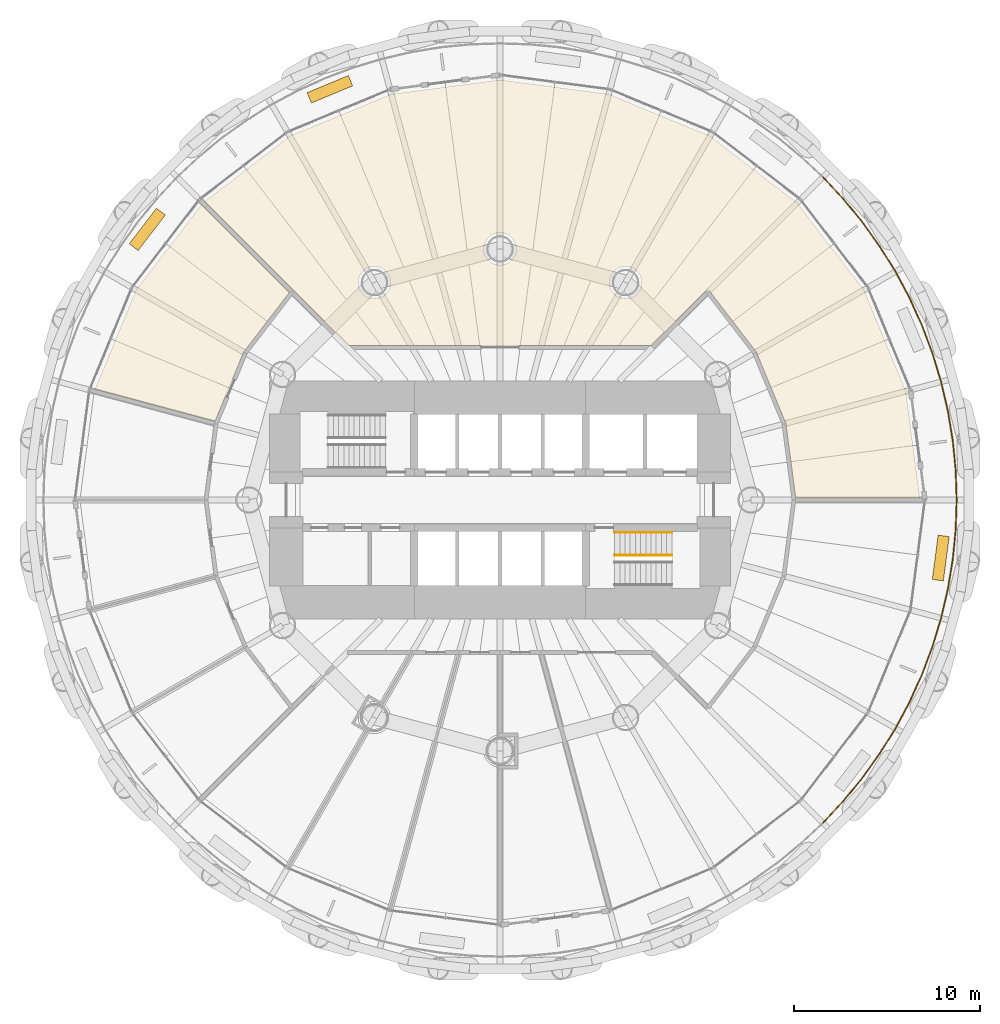
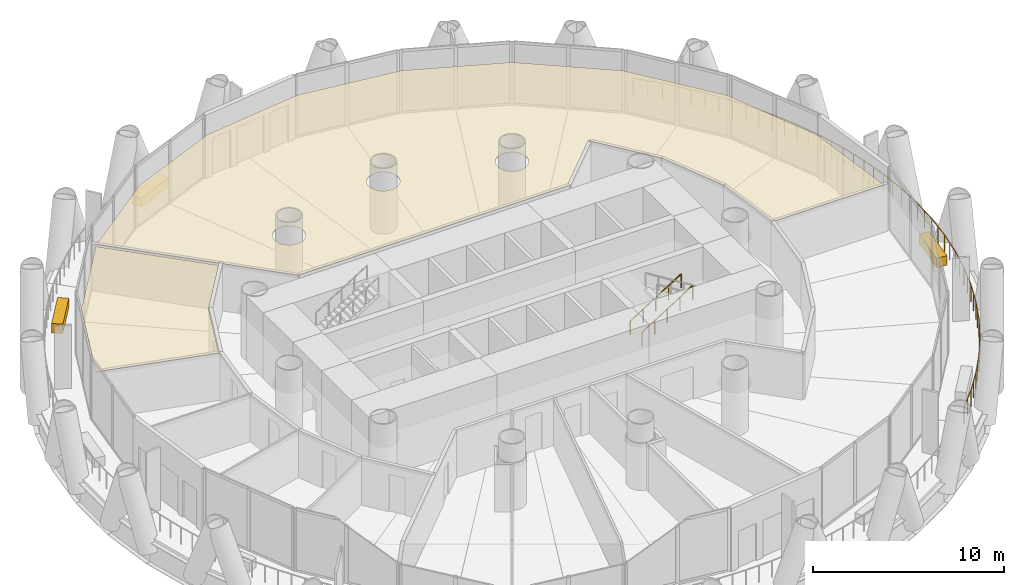
# One storey, part 15 of 16: 5 coverings, 3 railings.
"""IFC4 building model written with IfcOpenShell, lengths in metres."""

from ifc_helpers import new_model, si_unit, direction, frame, origin, origin_2d, place, context, subcontext, project, spatial, polyline, rectangle, circle, outline, extrude, material, layer, layer_set, type_object, element, save


model = new_model("IFC4")

# Units and contexts
model_context = context("Model", 3, precision=1e-05, world=origin(), true_north=direction((0.0, 1.0)))
body_context = subcontext(model_context, "Body", "Model", "MODEL_VIEW")
ifc_project = project(units=[si_unit("LENGTHUNIT", "METRE"), si_unit("AREAUNIT", "SQUARE_METRE"), si_unit("VOLUMEUNIT", "CUBIC_METRE"), si_unit("PLANEANGLEUNIT", "RADIAN"), si_unit("MASSUNIT", "GRAM", prefix="KILO")], contexts=[model_context])

# Site, building, storey
site_placement = place(None, origin())
site = spatial("IfcSite", under=ifc_project, at=site_placement, CompositionType="ELEMENT")
building_placement = place(site_placement, origin())
building = spatial("IfcBuilding", under=site, at=building_placement, Name="Qaws Media Tower", CompositionType="ELEMENT")
storey_placement = place(building_placement, frame((0.0, 0.0, 63.800048828125)))
storey = spatial("IfcBuildingStorey", under=building, at=storey_placement, Name="L13", CompositionType="ELEMENT", Elevation=63.800048828125)

# Coverings
ifc_material_1 = material(Name="40 perforated acoustic panels with mineral wool backing, suspended", Category="mineral fibre")
ifc_layer_1 = layer(ifc_material_1, 0.0400390625)
ifc_layer_set_1 = layer_set([ifc_layer_1], Name="Acoustic panel ceiling 40")
covering_type_1 = type_object("IfcCoveringType", Name="Acoustic panel ceiling 40", PredefinedType="CEILING", material=ifc_layer_set_1)
covering_1_placement = place(storey_placement, frame((0.0, 0.0, 2.849853515625)))
element("IfcCovering", 1, at=covering_1_placement, inside=storey, type_object=covering_type_1, Name="CL3 ceiling L13-02 Newsroom", PredefinedType="CEILING", context=body_context, shape_type="SweptSolid", body=[
    extrude(outline(polyline([(48.70751953125, 69.559326171875), (54.154541015625, 71.815673828125), (60.0, 72.585205078125), (65.845458984375, 71.815673828125), (71.29248046875, 69.559326171875), (75.97021484375, 65.97021484375), (79.559326171875, 61.29248046875), (81.815673828125, 55.845458984375), (82.5703125, 50.112548828125), (75.898681640625, 50.112548828125), (75.37109375, 54.11865234375), (73.781494140625, 57.956787109375), (71.183349609375, 61.342529296875), (68.1533203125, 58.3125), (51.8466796875, 58.3125), (44.119873046875, 66.039306640625), (48.70751953125, 69.559326171875)]), holes=[polyline([(54.0546875, 61.35791015625), (54.09130859375, 61.4658203125), (54.113525390625, 61.57763671875), (54.12109375, 61.69140625), (54.113525390625, 61.804931640625), (54.09130859375, 61.916748046875), (54.0546875, 62.024658203125), (54.00439453125, 62.126708984375), (53.94091796875, 62.2216796875), (53.865966796875, 62.30712890625), (53.7802734375, 62.38232421875), (53.685546875, 62.44580078125), (53.583251953125, 62.49609375), (53.475341796875, 62.53271484375), (53.36376953125, 62.554931640625), (53.25, 62.562255859375), (53.13623046875, 62.554931640625), (53.024658203125, 62.53271484375), (52.916748046875, 62.49609375), (52.814453125, 62.44580078125), (52.7197265625, 62.38232421875), (52.634033203125, 62.30712890625), (52.55908203125, 62.2216796875), (52.49560546875, 62.126708984375), (52.4453125, 62.024658203125), (52.40869140625, 61.916748046875), (52.386474609375, 61.804931640625), (52.37890625, 61.69140625), (52.386474609375, 61.57763671875), (52.40869140625, 61.4658203125), (52.4453125, 61.35791015625), (52.49560546875, 61.255859375), (52.55908203125, 61.1611328125), (52.634033203125, 61.075439453125), (52.7197265625, 61.000244140625), (52.814453125, 60.93701171875), (52.916748046875, 60.88671875), (53.024658203125, 60.85009765625), (53.13623046875, 60.827880859375), (53.25, 60.8203125), (53.36376953125, 60.827880859375), (53.475341796875, 60.85009765625), (53.583251953125, 60.88671875), (53.685546875, 60.93701171875), (53.7802734375, 61.000244140625), (53.865966796875, 61.075439453125), (53.94091796875, 61.1611328125), (54.00439453125, 61.255859375), (54.0546875, 61.35791015625)]), polyline([(60.8046875, 63.166748046875), (60.84130859375, 63.274658203125), (60.863525390625, 63.38623046875), (60.87109375, 63.5), (60.863525390625, 63.61376953125), (60.84130859375, 63.725341796875), (60.8046875, 63.833251953125), (60.75439453125, 63.935546875), (60.69091796875, 64.0302734375), (60.615966796875, 64.115966796875), (60.5302734375, 64.19091796875), (60.435546875, 64.25439453125), (60.333251953125, 64.3046875), (60.225341796875, 64.34130859375), (60.11376953125, 64.363525390625), (60.0, 64.37109375), (59.88623046875, 64.363525390625), (59.774658203125, 64.34130859375), (59.666748046875, 64.3046875), (59.564453125, 64.25439453125), (59.4697265625, 64.19091796875), (59.384033203125, 64.115966796875), (59.30908203125, 64.0302734375), (59.24560546875, 63.935546875), (59.1953125, 63.833251953125), (59.15869140625, 63.725341796875), (59.136474609375, 63.61376953125), (59.12890625, 63.5), (59.136474609375, 63.38623046875), (59.15869140625, 63.274658203125), (59.1953125, 63.166748046875), (59.24560546875, 63.064453125), (59.30908203125, 62.9697265625), (59.384033203125, 62.884033203125), (59.4697265625, 62.80908203125), (59.564453125, 62.74560546875), (59.666748046875, 62.6953125), (59.774658203125, 62.65869140625), (59.88623046875, 62.636474609375), (60.0, 62.62890625), (60.11376953125, 62.636474609375), (60.225341796875, 62.65869140625), (60.333251953125, 62.6953125), (60.435546875, 62.74560546875), (60.5302734375, 62.80908203125), (60.615966796875, 62.884033203125), (60.69091796875, 62.9697265625), (60.75439453125, 63.064453125), (60.8046875, 63.166748046875)]), polyline([(67.5546875, 61.35791015625), (67.59130859375, 61.4658203125), (67.613525390625, 61.57763671875), (67.62109375, 61.69140625), (67.613525390625, 61.804931640625), (67.59130859375, 61.916748046875), (67.5546875, 62.024658203125), (67.50439453125, 62.126708984375), (67.44091796875, 62.2216796875), (67.365966796875, 62.30712890625), (67.2802734375, 62.38232421875), (67.185546875, 62.44580078125), (67.083251953125, 62.49609375), (66.975341796875, 62.53271484375), (66.86376953125, 62.554931640625), (66.75, 62.562255859375), (66.63623046875, 62.554931640625), (66.524658203125, 62.53271484375), (66.416748046875, 62.49609375), (66.314453125, 62.44580078125), (66.2197265625, 62.38232421875), (66.134033203125, 62.30712890625), (66.05908203125, 62.2216796875), (65.99560546875, 62.126708984375), (65.9453125, 62.024658203125), (65.90869140625, 61.916748046875), (65.886474609375, 61.804931640625), (65.87890625, 61.69140625), (65.886474609375, 61.57763671875), (65.90869140625, 61.4658203125), (65.9453125, 61.35791015625), (65.99560546875, 61.255859375), (66.05908203125, 61.1611328125), (66.134033203125, 61.075439453125), (66.2197265625, 61.000244140625), (66.314453125, 60.93701171875), (66.416748046875, 60.88671875), (66.524658203125, 60.85009765625), (66.63623046875, 60.827880859375), (66.75, 60.8203125), (66.86376953125, 60.827880859375), (66.975341796875, 60.85009765625), (67.083251953125, 60.88671875), (67.185546875, 60.93701171875), (67.2802734375, 61.000244140625), (67.365966796875, 61.075439453125), (67.44091796875, 61.1611328125), (67.50439453125, 61.255859375), (67.5546875, 61.35791015625)])]), origin(), (0.0, 0.0, 1.0), 0.0400390625),
])
covering_2_placement = place(storey_placement, frame((0.0, 0.0, 2.849853515625)))
element("IfcCovering", 2, at=covering_2_placement, inside=storey, type_object=covering_type_1, Name="CL3 ceiling L13-03 News meeting room", PredefinedType="CEILING", context=body_context, shape_type="SweptSolid", body=[
    extrude(outline(polyline([(40.440673828125, 61.29248046875), (43.960693359375, 65.880126953125), (48.678466796875, 61.16259765625), (46.218505859375, 57.956787109375), (44.672119140625, 54.223388671875), (38.227783203125, 55.9501953125), (40.440673828125, 61.29248046875)])), origin(), (0.0, 0.0, 1.0), 0.0400390625),
])

# Railing
ifc_material_2 = material(Name="Stainless steel and glass guard", Category="steel")
railing_type_1 = type_object("IfcRailingType", Name="Balcony guard 1100", PredefinedType="GUARDRAIL", material=ifc_material_2)
railing_placement = place(storey_placement, frame((77.359375, 32.640625, 0.0)))
element("IfcRailing", 3, at=railing_placement, inside=storey, type_object=railing_type_1, Name="GR1 balcony guard L13-4", PredefinedType="GUARDRAIL", context=body_context, shape_type="SweptSolid", body=[
    extrude(circle(Radius=0.02392578125, at=origin_2d()), frame((0.0, 0.0, 1.076171875), z_axis=(0.683708559442, 0.729755168358, 0.0), x_axis=(-0.729755168358, 0.683708559442, 0.0)), (0.0, 0.0, 1.0), 1.6064453125),
    extrude(circle(Radius=0.02392578125, at=origin_2d()), frame((1.098388671875, 1.17236328125, 1.076171875), z_axis=(0.634321269282, 0.773069548835, 0.0), x_axis=(-0.773069548835, 0.634321269282, 0.0)), (0.0, 0.0, 1.0), 1.6064453125),
    extrude(circle(Radius=0.02392578125, at=origin_2d()), frame((2.117431640625, 2.414306640625, 1.076171875), z_axis=(0.582473761618, 0.812849504538, 0.0), x_axis=(-0.812849504538, 0.582473761618, 0.0)), (0.0, 0.0, 1.0), 1.606689453125),
    extrude(circle(Radius=0.02392578125, at=origin_2d()), frame((3.05322265625, 3.72021484375, 1.076171875), z_axis=(0.528085199, 0.849191393384, 0.0), x_axis=(-0.849191393384, 0.528085199, 0.0)), (0.0, 0.0, 1.0), 1.6064453125),
    extrude(circle(Radius=0.02392578125, at=origin_2d()), frame((3.901611328125, 5.08447265625, 1.076171875), z_axis=(0.471424145356, 0.881906613636, 0.0), x_axis=(-0.881906613636, 0.471424145356, 0.0)), (0.0, 0.0, 1.0), 1.6064453125),
    extrude(circle(Radius=0.02392578125, at=origin_2d()), frame((4.658935546875, 6.501220703125, 1.076171875), z_axis=(0.412600349797, 0.910912153474, 0.0), x_axis=(-0.910912153474, 0.412600349797, 0.0)), (0.0, 0.0, 1.0), 1.6064453125),
    extrude(circle(Radius=0.02392578125, at=origin_2d()), frame((5.32177734375, 7.964599609375, 1.076171875), z_axis=(0.352289041388, 0.935891249728, 0.0), x_axis=(-0.935891249728, 0.352289041388, 0.0)), (0.0, 0.0, 1.0), 1.6064453125),
    extrude(circle(Radius=0.02392578125, at=origin_2d()), frame((5.8876953125, 9.468017578125, 1.076171875), z_axis=(0.290260453496, 0.956947683594, 0.0), x_axis=(-0.956947683594, 0.290260453496, 0.0)), (0.0, 0.0, 1.0), 1.6064453125),
    extrude(circle(Radius=0.02392578125, at=origin_2d()), frame((6.35400390625, 11.00537109375, 1.076171875), z_axis=(0.227200790134, 0.973847935236, 0.0), x_axis=(-0.973847935236, 0.227200790134, 0.0)), (0.0, 0.0, 1.0), 1.6064453125),
    extrude(circle(Radius=0.02392578125, at=origin_2d()), frame((6.718994140625, 12.56982421875, 1.076171875), z_axis=(0.162895674781, 0.986643298836, 0.0), x_axis=(-0.986643298836, 0.162895674781, 0.0)), (0.0, 0.0, 1.0), 1.606689453125),
    extrude(circle(Radius=0.02392578125, at=origin_2d()), frame((6.980712890625, 14.155029296875, 1.076171875), z_axis=(0.098028924866, 0.995183565926, 0.0), x_axis=(-0.995183565926, 0.098028924866, 0.0)), (0.0, 0.0, 1.0), 1.6064453125),
    extrude(circle(Radius=0.02392578125, at=origin_2d()), frame((7.13818359375, 15.753662109375, 1.076171875), z_axis=(0.032672223792, 0.999466120383, 0.0), x_axis=(-0.999466120383, 0.032672223792, 0.0)), (0.0, 0.0, 1.0), 1.606689453125),
    extrude(circle(Radius=0.02392578125, at=origin_2d()), frame((7.190673828125, 17.359375, 1.076171875), z_axis=(-0.032672223792, 0.999466120383, 0.0), x_axis=(-0.999466120383, -0.032672223792, 0.0)), (0.0, 0.0, 1.0), 1.606689453125),
    extrude(circle(Radius=0.02392578125, at=origin_2d()), frame((7.13818359375, 18.965087890625, 1.076171875), z_axis=(-0.098028924866, 0.995183565926, 0.0), x_axis=(-0.995183565926, -0.098028924866, 0.0)), (0.0, 0.0, 1.0), 1.6064453125),
    extrude(circle(Radius=0.02392578125, at=origin_2d()), frame((6.980712890625, 20.563720703125, 1.076171875), z_axis=(-0.162895674781, 0.986643298836, 0.0), x_axis=(-0.986643298836, -0.162895674781, 0.0)), (0.0, 0.0, 1.0), 1.606689453125),
    extrude(circle(Radius=0.02392578125, at=origin_2d()), frame((6.718994140625, 22.14892578125, 1.076171875), z_axis=(-0.227200790134, 0.973847935236, 0.0), x_axis=(-0.973847935236, -0.227200790134, 0.0)), (0.0, 0.0, 1.0), 1.6064453125),
    extrude(circle(Radius=0.02392578125, at=origin_2d()), frame((6.35400390625, 23.71337890625, 1.076171875), z_axis=(-0.290260453496, 0.956947683594, 0.0), x_axis=(-0.956947683594, -0.290260453496, 0.0)), (0.0, 0.0, 1.0), 1.6064453125),
    extrude(circle(Radius=0.02392578125, at=origin_2d()), frame((5.8876953125, 25.250732421875, 1.076171875), z_axis=(-0.352289041388, 0.935891249728, 0.0), x_axis=(-0.935891249728, -0.352289041388, 0.0)), (0.0, 0.0, 1.0), 1.6064453125),
    extrude(circle(Radius=0.02392578125, at=origin_2d()), frame((5.32177734375, 26.754150390625, 1.076171875), z_axis=(-0.412600349797, 0.910912153474, 0.0), x_axis=(-0.910912153474, -0.412600349797, 0.0)), (0.0, 0.0, 1.0), 1.6064453125),
    extrude(circle(Radius=0.02392578125, at=origin_2d()), frame((4.658935546875, 28.217529296875, 1.076171875), z_axis=(-0.471424145356, 0.881906613636, 0.0), x_axis=(-0.881906613636, -0.471424145356, 0.0)), (0.0, 0.0, 1.0), 1.6064453125),
    extrude(circle(Radius=0.02392578125, at=origin_2d()), frame((3.901611328125, 29.63427734375, 1.076171875), z_axis=(-0.528085199, 0.849191393384, 0.0), x_axis=(-0.849191393384, -0.528085199, 0.0)), (0.0, 0.0, 1.0), 1.6064453125),
    extrude(circle(Radius=0.02392578125, at=origin_2d()), frame((3.05322265625, 30.99853515625, 1.076171875), z_axis=(-0.582473761618, 0.812849504538, 0.0), x_axis=(-0.812849504538, -0.582473761618, 0.0)), (0.0, 0.0, 1.0), 1.606689453125),
    extrude(circle(Radius=0.02392578125, at=origin_2d()), frame((2.117431640625, 32.304443359375, 1.076171875), z_axis=(-0.634321269282, 0.773069548835, 0.0), x_axis=(-0.773069548835, -0.634321269282, 0.0)), (0.0, 0.0, 1.0), 1.6064453125),
    extrude(circle(Radius=0.02392578125, at=origin_2d()), frame((1.098388671875, 33.54638671875, 1.076171875), z_axis=(-0.683708559442, 0.729755168358, 0.0), x_axis=(-0.729755168358, -0.683708559442, 0.0)), (0.0, 0.0, 1.0), 1.6064453125),
    extrude(circle(Radius=0.02099609375, at=origin_2d()), origin(), (0.0, 0.0, 1.0), 1.052001953125),
    extrude(circle(Radius=0.02099609375, at=origin_2d()), frame((0.54931640625, 0.586181640625, 0.0)), (0.0, 0.0, 1.0), 1.052001953125),
    extrude(circle(Radius=0.02099609375, at=origin_2d()), frame((1.098388671875, 1.17236328125, 0.0)), (0.0, 0.0, 1.0), 1.052001953125),
    extrude(circle(Radius=0.02099609375, at=origin_2d()), frame((1.60791015625, 1.79345703125, 0.0)), (0.0, 0.0, 1.0), 1.052001953125),
    extrude(circle(Radius=0.02099609375, at=origin_2d()), frame((2.117431640625, 2.414306640625, 0.0)), (0.0, 0.0, 1.0), 1.052001953125),
    extrude(circle(Radius=0.02099609375, at=origin_2d()), frame((2.58544921875, 3.0673828125, 0.0)), (0.0, 0.0, 1.0), 1.052001953125),
    extrude(circle(Radius=0.02099609375, at=origin_2d()), frame((3.05322265625, 3.72021484375, 0.0)), (0.0, 0.0, 1.0), 1.052001953125),
    extrude(circle(Radius=0.02099609375, at=origin_2d()), frame((3.4775390625, 4.40234375, 0.0)), (0.0, 0.0, 1.0), 1.052001953125),
    extrude(circle(Radius=0.02099609375, at=origin_2d()), frame((3.901611328125, 5.08447265625, 0.0)), (0.0, 0.0, 1.0), 1.052001953125),
    extrude(circle(Radius=0.02099609375, at=origin_2d()), frame((4.2802734375, 5.79296875, 0.0)), (0.0, 0.0, 1.0), 1.052001953125),
    extrude(circle(Radius=0.02099609375, at=origin_2d()), frame((4.658935546875, 6.501220703125, 0.0)), (0.0, 0.0, 1.0), 1.052001953125),
    extrude(circle(Radius=0.02099609375, at=origin_2d()), frame((4.990234375, 7.23291015625, 0.0)), (0.0, 0.0, 1.0), 1.052001953125),
    extrude(circle(Radius=0.02099609375, at=origin_2d()), frame((5.32177734375, 7.964599609375, 0.0)), (0.0, 0.0, 1.0), 1.052001953125),
    extrude(circle(Radius=0.02099609375, at=origin_2d()), frame((5.604736328125, 8.71630859375, 0.0)), (0.0, 0.0, 1.0), 1.052001953125),
    extrude(circle(Radius=0.02099609375, at=origin_2d()), frame((5.8876953125, 9.468017578125, 0.0)), (0.0, 0.0, 1.0), 1.052001953125),
    extrude(circle(Radius=0.02099609375, at=origin_2d()), frame((6.120849609375, 10.23681640625, 0.0)), (0.0, 0.0, 1.0), 1.052001953125),
    extrude(circle(Radius=0.02099609375, at=origin_2d()), frame((6.35400390625, 11.00537109375, 0.0)), (0.0, 0.0, 1.0), 1.052001953125),
    extrude(circle(Radius=0.02099609375, at=origin_2d()), frame((6.53662109375, 11.78759765625, 0.0)), (0.0, 0.0, 1.0), 1.052001953125),
    extrude(circle(Radius=0.02099609375, at=origin_2d()), frame((6.718994140625, 12.56982421875, 0.0)), (0.0, 0.0, 1.0), 1.052001953125),
    extrude(circle(Radius=0.02099609375, at=origin_2d()), frame((6.849853515625, 13.3623046875, 0.0)), (0.0, 0.0, 1.0), 1.052001953125),
    extrude(circle(Radius=0.02099609375, at=origin_2d()), frame((6.980712890625, 14.155029296875, 0.0)), (0.0, 0.0, 1.0), 1.052001953125),
    extrude(circle(Radius=0.02099609375, at=origin_2d()), frame((7.0595703125, 14.954345703125, 0.0)), (0.0, 0.0, 1.0), 1.052001953125),
    extrude(circle(Radius=0.02099609375, at=origin_2d()), frame((7.13818359375, 15.753662109375, 0.0)), (0.0, 0.0, 1.0), 1.052001953125),
    extrude(circle(Radius=0.02099609375, at=origin_2d()), frame((7.16455078125, 16.556640625, 0.0)), (0.0, 0.0, 1.0), 1.052001953125),
    extrude(circle(Radius=0.02099609375, at=origin_2d()), frame((7.190673828125, 17.359375, 0.0)), (0.0, 0.0, 1.0), 1.052001953125),
    extrude(circle(Radius=0.02099609375, at=origin_2d()), frame((7.16455078125, 18.162109375, 0.0)), (0.0, 0.0, 1.0), 1.052001953125),
    extrude(circle(Radius=0.02099609375, at=origin_2d()), frame((7.13818359375, 18.965087890625, 0.0)), (0.0, 0.0, 1.0), 1.052001953125),
    extrude(circle(Radius=0.02099609375, at=origin_2d()), frame((7.0595703125, 19.764404296875, 0.0)), (0.0, 0.0, 1.0), 1.052001953125),
    extrude(circle(Radius=0.02099609375, at=origin_2d()), frame((6.980712890625, 20.563720703125, 0.0)), (0.0, 0.0, 1.0), 1.052001953125),
    extrude(circle(Radius=0.02099609375, at=origin_2d()), frame((6.849853515625, 21.3564453125, 0.0)), (0.0, 0.0, 1.0), 1.052001953125),
    extrude(circle(Radius=0.02099609375, at=origin_2d()), frame((6.718994140625, 22.14892578125, 0.0)), (0.0, 0.0, 1.0), 1.052001953125),
    extrude(circle(Radius=0.02099609375, at=origin_2d()), frame((6.53662109375, 22.93115234375, 0.0)), (0.0, 0.0, 1.0), 1.052001953125),
    extrude(circle(Radius=0.02099609375, at=origin_2d()), frame((6.35400390625, 23.71337890625, 0.0)), (0.0, 0.0, 1.0), 1.052001953125),
    extrude(circle(Radius=0.02099609375, at=origin_2d()), frame((6.120849609375, 24.48193359375, 0.0)), (0.0, 0.0, 1.0), 1.052001953125),
    extrude(circle(Radius=0.02099609375, at=origin_2d()), frame((5.8876953125, 25.250732421875, 0.0)), (0.0, 0.0, 1.0), 1.052001953125),
    extrude(circle(Radius=0.02099609375, at=origin_2d()), frame((5.604736328125, 26.00244140625, 0.0)), (0.0, 0.0, 1.0), 1.052001953125),
    extrude(circle(Radius=0.02099609375, at=origin_2d()), frame((5.32177734375, 26.754150390625, 0.0)), (0.0, 0.0, 1.0), 1.052001953125),
    extrude(circle(Radius=0.02099609375, at=origin_2d()), frame((4.990234375, 27.48583984375, 0.0)), (0.0, 0.0, 1.0), 1.052001953125),
    extrude(circle(Radius=0.02099609375, at=origin_2d()), frame((4.658935546875, 28.217529296875, 0.0)), (0.0, 0.0, 1.0), 1.052001953125),
    extrude(circle(Radius=0.02099609375, at=origin_2d()), frame((4.2802734375, 28.92578125, 0.0)), (0.0, 0.0, 1.0), 1.052001953125),
    extrude(circle(Radius=0.02099609375, at=origin_2d()), frame((3.901611328125, 29.63427734375, 0.0)), (0.0, 0.0, 1.0), 1.052001953125),
    extrude(circle(Radius=0.02099609375, at=origin_2d()), frame((3.4775390625, 30.31640625, 0.0)), (0.0, 0.0, 1.0), 1.052001953125),
    extrude(circle(Radius=0.02099609375, at=origin_2d()), frame((3.05322265625, 30.99853515625, 0.0)), (0.0, 0.0, 1.0), 1.052001953125),
    extrude(circle(Radius=0.02099609375, at=origin_2d()), frame((2.58544921875, 31.6513671875, 0.0)), (0.0, 0.0, 1.0), 1.052001953125),
    extrude(circle(Radius=0.02099609375, at=origin_2d()), frame((2.117431640625, 32.304443359375, 0.0)), (0.0, 0.0, 1.0), 1.052001953125),
    extrude(circle(Radius=0.02099609375, at=origin_2d()), frame((1.60791015625, 32.92529296875, 0.0)), (0.0, 0.0, 1.0), 1.052001953125),
    extrude(circle(Radius=0.02099609375, at=origin_2d()), frame((1.098388671875, 33.54638671875, 0.0)), (0.0, 0.0, 1.0), 1.052001953125),
    extrude(circle(Radius=0.02099609375, at=origin_2d()), frame((0.54931640625, 34.132568359375, 0.0)), (0.0, 0.0, 1.0), 1.052001953125),
    extrude(circle(Radius=0.02099609375, at=origin_2d()), frame((0.0, 34.71875, 0.0)), (0.0, 0.0, 1.0), 1.052001953125),
])

# Coverings
ifc_material_3 = material(Name="Precast concrete planter with trailing planting", Category="concrete")
ifc_layer_2 = layer(ifc_material_3, 0.60009765625)
ifc_layer_set_2 = layer_set([ifc_layer_2], Name="Planter 2400x600")
covering_type_2 = type_object("IfcCoveringType", Name="Planter 2400x600", PredefinedType="USERDEFINED", material=ifc_layer_set_2)
for number, where, z_axis, x_axis, name in (
    (4, (50.853759765625, 72.080810546875, 0.0), (0.0, 0.0, 1.0), (-0.923879532511, -0.382683432365, 0.0), "PL1 balcony planter L13-04"),
    (5, (41.038818359375, 64.54931640625, 0.0), (0.0, 0.0, 1.0), (-0.608761429009, -0.793353340291, 0.0), "PL1 balcony planter L13-05"),
    (6, (83.695556640625, 46.88037109375, 0.0), (0.0, 0.0, 1.0), (0.13052619222, 0.991444861374, 0.0), "PL1 balcony planter L13-12"),
):
    element("IfcCovering", number, at=place(storey_placement, frame(where, z_axis=z_axis, x_axis=x_axis)), inside=storey, type_object=covering_type_2, Name=name, ObjectType="PLANTER", PredefinedType="USERDEFINED", context=body_context, shape_type="SweptSolid", body=[
        extrude(rectangle(XDim=2.39990234375, YDim=0.60009765625, at=origin_2d()), origin(), (0.0, 0.0, 1.0), 0.60009765625),
    ])

# Railings
ifc_material_4 = material(Name="Steel tube handrail", Category="steel")
railing_type_2 = type_object("IfcRailingType", Name="Stair handrail 900", PredefinedType="HANDRAIL", material=ifc_material_4)
for number, where, name in (
    (7, (66.159912109375, 48.25, 0.175048828125), "HR1 handrail S2 flight 1 L13"),
    (8, (66.159912109375, 47.0400390625, 0.175048828125), "HR1 handrail S2 flight 1 L13"),
):
    element("IfcRailing", number, at=place(storey_placement, frame(where)), inside=storey, type_object=railing_type_2, Name=name, PredefinedType="HANDRAIL", context=body_context, shape_type="SweptSolid", body=[
        extrude(circle(Radius=0.02392578125, at=origin_2d()), frame((0.0, 0.0, 0.8759765625), z_axis=(0.848028513186, 0.0, 0.529950602248), x_axis=(0.0, 1.0, 0.0)), (0.0, 0.0, 1.0), 3.632080078125),
        extrude(circle(Radius=0.02099609375, at=origin_2d()), origin(), (0.0, 0.0, 1.0), 0.851806640625),
        extrude(circle(Radius=0.02099609375, at=origin_2d()), frame((0.77001953125, 0.0, 0.481201171875)), (0.0, 0.0, 1.0), 0.851806640625),
        extrude(circle(Radius=0.02099609375, at=origin_2d()), frame((1.5400390625, 0.0, 0.96240234375)), (0.0, 0.0, 1.0), 0.851806640625),
        extrude(circle(Radius=0.02099609375, at=origin_2d()), frame((2.31005859375, 0.0, 1.443603515625)), (0.0, 0.0, 1.0), 0.851806640625),
        extrude(circle(Radius=0.02099609375, at=origin_2d()), frame((3.080078125, 0.0, 1.9248046875)), (0.0, 0.0, 1.0), 0.851806640625),
    ])

save(model, "model.ifc")
